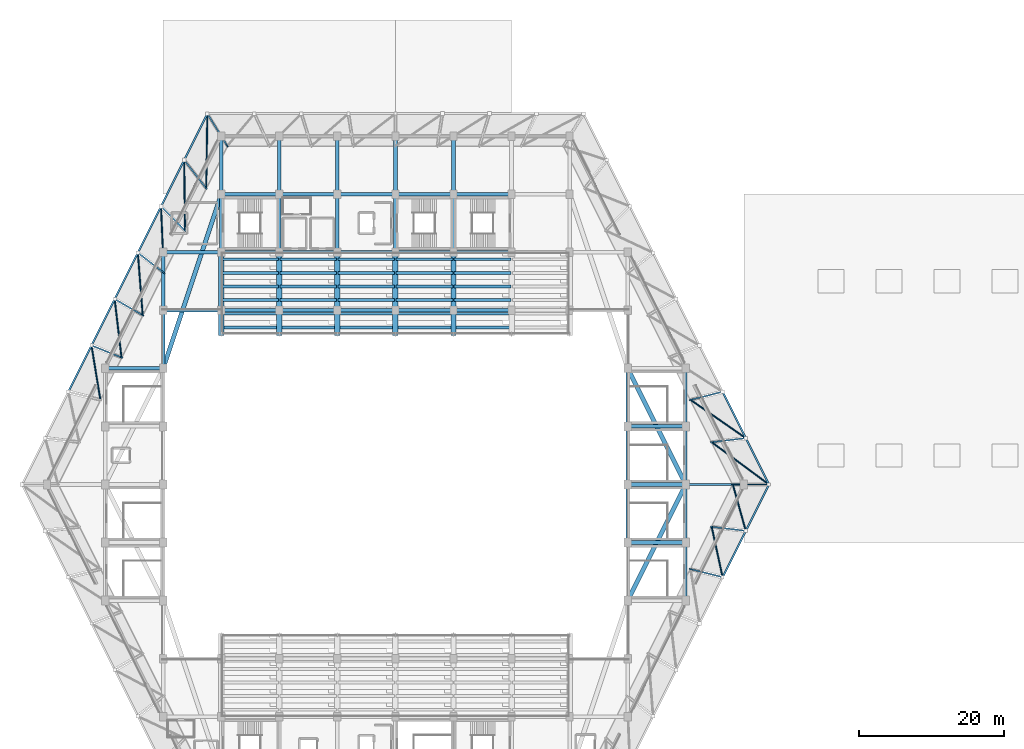
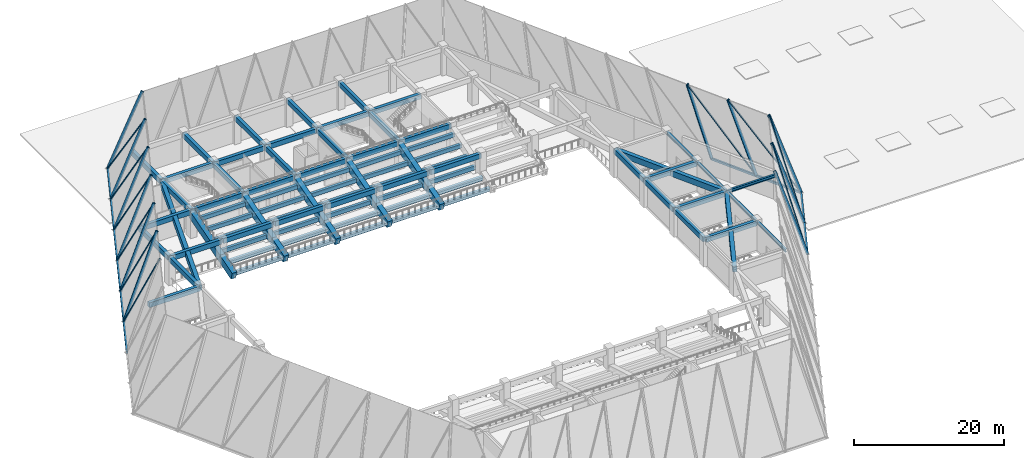
# One storey, part 3 of 24: 84 beams, 31 members.
"""IFC4 building model written with IfcOpenShell, lengths in metres."""

from ifc_helpers import new_model, si_unit, direction, frame, origin, origin_2d, place, context, subcontext, project, spatial, rectangle, hollow_rectangle, hollow_circle, i_section, extrude, material, material_profile, profile_set, type_object, element, save


model = new_model("IFC4")

# Units and contexts
model_context = context("Model", 3, precision=1e-05, world=origin(), true_north=direction((0.0, 1.0)))
body_context = subcontext(model_context, "Body", "Model", "MODEL_VIEW")
ifc_project = project(units=[si_unit("LENGTHUNIT", "METRE"), si_unit("AREAUNIT", "SQUARE_METRE"), si_unit("VOLUMEUNIT", "CUBIC_METRE"), si_unit("PLANEANGLEUNIT", "RADIAN"), si_unit("MASSUNIT", "GRAM", prefix="KILO")], contexts=[model_context])

# Site, building, storey
site_placement = place(None, origin())
site = spatial("IfcSite", under=ifc_project, at=site_placement, CompositionType="ELEMENT")
building_placement = place(site_placement, origin())
building = spatial("IfcBuilding", under=site, at=building_placement, Name="Tazarka Park Arena", CompositionType="ELEMENT")
storey_placement = place(building_placement, frame((0.0, 0.0, 15.0)))
storey = spatial("IfcBuildingStorey", under=building, at=storey_placement, Name="L03", CompositionType="ELEMENT", Elevation=15.0)

# Beams
ifc_material_1 = material(Name="Concrete C40/50", Category="concrete")
ifc_material_profile_1 = material_profile(ifc_material_1, rectangle(XDim=0.5, YDim=0.800048828125, at=origin_2d()), Name="Concrete C40/50")
ifc_profile_set_1 = profile_set([ifc_material_profile_1], Name="Concrete C40/50")
beam_type_1 = type_object("IfcBeamType", Name="BM-B-02", PredefinedType="BEAM", material=ifc_profile_set_1)
for number, where, z_axis, x_axis, name in (
    (1, (56.1201171875, 88.0, 4.02001953125), (1.0, 0.0, 0.0), (0.0, 1.0, 0.0), "GXM-L03-07-11"),
    (2, (64.1201171875, 96.0, 4.02001953125), (1.0, 0.0, 0.0), (0.0, 1.0, 0.0), "GXM-L03-08-12"),
    (3, (64.0, 96.1201171875, 4.02001953125), (0.0, 1.0, 0.0), (-1.0, 0.0, 0.0), "GYM-L03-08-12"),
    (4, (64.1201171875, 104.0, 4.02001953125), (1.0, 0.0, 0.0), (0.0, 1.0, 0.0), "GXM-L03-08-13"),
    (5, (72.1201171875, 96.0, 4.02001953125), (1.0, 0.0, 0.0), (0.0, 1.0, 0.0), "GXM-L03-09-12"),
    (6, (72.0, 96.1201171875, 4.02001953125), (0.0, 1.0, 0.0), (-1.0, 0.0, 0.0), "GYM-L03-09-12"),
    (7, (72.1201171875, 104.0, 4.02001953125), (1.0, 0.0, 0.0), (0.0, 1.0, 0.0), "GXM-L03-09-13"),
    (8, (72.0, 104.1201171875, 4.02001953125), (0.0, 1.0, 0.0), (-1.0, 0.0, 0.0), "GYM-L03-09-13"),
    (9, (80.1201171875, 96.0, 4.02001953125), (1.0, 0.0, 0.0), (0.0, 1.0, 0.0), "GXM-L03-10-12"),
    (10, (80.0, 96.1201171875, 4.02001953125), (0.0, 1.0, 0.0), (-1.0, 0.0, 0.0), "GYM-L03-10-12"),
    (11, (80.1201171875, 104.0, 4.02001953125), (1.0, 0.0, 0.0), (0.0, 1.0, 0.0), "GXM-L03-10-13"),
    (12, (80.0, 104.1201171875, 4.02001953125), (0.0, 1.0, 0.0), (-1.0, 0.0, 0.0), "GYM-L03-10-13"),
    (13, (88.1201171875, 96.0, 4.02001953125), (1.0, 0.0, 0.0), (0.0, 1.0, 0.0), "GXM-L03-11-12"),
    (14, (88.0, 96.1201171875, 4.02001953125), (0.0, 1.0, 0.0), (-1.0, 0.0, 0.0), "GYM-L03-11-12"),
    (15, (88.1201171875, 104.0, 4.02001953125), (1.0, 0.0, 0.0), (0.0, 1.0, 0.0), "GXM-L03-11-13"),
    (16, (88.0, 104.1201171875, 4.02001953125), (0.0, 1.0, 0.0), (-1.0, 0.0, 0.0), "GYM-L03-11-13"),
    (17, (96.1201171875, 96.0, 4.02001953125), (1.0, 0.0, 0.0), (0.0, 1.0, 0.0), "GXM-L03-12-12"),
    (18, (96.0, 96.1201171875, 4.02001953125), (0.0, 1.0, 0.0), (-1.0, 0.0, 0.0), "GYM-L03-12-12"),
    (19, (96.1201171875, 104.0, 4.02001953125), (1.0, 0.0, 0.0), (0.0, 1.0, 0.0), "GXM-L03-12-13"),
    (20, (96.0, 104.1201171875, 4.02001953125), (0.0, 1.0, 0.0), (-1.0, 0.0, 0.0), "GYM-L03-12-13"),
    (21, (120.1201171875, 56.0, 4.02001953125), (1.0, 0.0, 0.0), (0.0, 1.0, 0.0), "GXM-L03-15-07"),
    (22, (120.1201171875, 64.0, 4.02001953125), (1.0, 0.0, 0.0), (0.0, 1.0, 0.0), "GXM-L03-15-08"),
    (23, (120.1201171875, 72.0, 4.02001953125), (1.0, 0.0, 0.0), (0.0, 1.0, 0.0), "GXM-L03-15-09"),
):
    element("IfcBeam", number, at=place(storey_placement, frame(where, z_axis=z_axis, x_axis=x_axis)), inside=storey, type_object=beam_type_1, Name=name, PredefinedType="BEAM", context=body_context, shape_type="SweptSolid", body=[
        extrude(rectangle(XDim=0.5, YDim=0.800048828125, at=origin_2d()), origin(), (0.0, 0.0, 1.0), 7.759765625),
    ])
ifc_material_2 = material(Name="Steel S355", Category="steel")
ifc_material_profile_2 = material_profile(ifc_material_2, i_section(OverallWidth=0.300048828125, OverallDepth=0.489990234375, WebThickness=0.011962890625, FlangeThickness=0.02294921875, FilletRadius=0.027099609375, at=origin_2d()), Name="Steel S355")
ifc_profile_set_2 = profile_set([ifc_material_profile_2], Name="Steel S355")
beam_type_2 = type_object("IfcBeamType", Name="BM-B-06", PredefinedType="BEAM", material=ifc_profile_set_2)
for number, where, z_axis, x_axis, name in (
    (24, (128.1201171875, 64.0, 4.175048828125), (1.0, 0.0, 0.0), (0.0, 1.0, 0.0), "GXM-L03-16-08"),
    (25, (128.0, 64.1201171875, 4.175048828125), (0.0, 1.0, 0.0), (-1.0, 0.0, 0.0), "GYM-L03-16-08"),
):
    element("IfcBeam", number, at=place(storey_placement, frame(where, z_axis=z_axis, x_axis=x_axis)), inside=storey, type_object=beam_type_2, Name=name, PredefinedType="BEAM", context=body_context, shape_type="SweptSolid", body=[
        extrude(i_section(OverallWidth=0.300048828125, OverallDepth=0.489990234375, WebThickness=0.011962890625, FlangeThickness=0.02294921875, FilletRadius=0.027099609375, at=origin_2d()), origin(), (0.0, 0.0, 1.0), 7.759765625),
    ])
ifc_material_3 = material(Name="Precast concrete C40/50", Category="concrete")
ifc_material_profile_3 = material_profile(ifc_material_3, rectangle(XDim=0.75, YDim=1.199951171875, at=origin_2d()), Name="Precast concrete C40/50")
ifc_profile_set_3 = profile_set([ifc_material_profile_3], Name="Precast concrete C40/50")
beam_type_3 = type_object("IfcBeamType", Name="BM-RK-02", PredefinedType="BEAM", material=ifc_profile_set_3)
beam_1_placement = place(storey_placement, frame((64.0, 88.0, 1.300048828125), z_axis=(0.0, 0.959465685015, 0.281825476632), x_axis=(-1.0, 0.0, 0.0)))
element("IfcBeam", 26, at=beam_1_placement, inside=storey, type_object=beam_type_3, Name="RAKER RK-02-08B", PredefinedType="BEAM", context=body_context, shape_type="SweptSolid", body=[
    extrude(rectangle(XDim=0.75, YDim=1.199951171875, at=origin_2d()), origin(), (0.0, 0.0, 1.0), 8.337890625),
])
beam_2_placement = place(storey_placement, frame((64.0, 84.699951171875, 0.33056640625), z_axis=(0.0, 0.959453616174, 0.281866561354), x_axis=(-1.0, 0.0, 0.0)))
element("IfcBeam", 27, at=beam_2_placement, inside=storey, type_object=beam_type_3, Name="RAKER RK-02-08C", PredefinedType="BEAM", context=body_context, shape_type="SweptSolid", body=[
    extrude(rectangle(XDim=0.75, YDim=1.199951171875, at=origin_2d()), origin(), (0.0, 0.0, 1.0), 3.439453125),
])
beam_3_placement = place(storey_placement, frame((72.0, 88.0, 1.300048828125), z_axis=(0.0, 0.959465685015, 0.281825476632), x_axis=(-1.0, 0.0, 0.0)))
element("IfcBeam", 28, at=beam_3_placement, inside=storey, type_object=beam_type_3, Name="RAKER RK-02-09B", PredefinedType="BEAM", context=body_context, shape_type="SweptSolid", body=[
    extrude(rectangle(XDim=0.75, YDim=1.199951171875, at=origin_2d()), origin(), (0.0, 0.0, 1.0), 8.337890625),
])
beam_4_placement = place(storey_placement, frame((72.0, 84.699951171875, 0.33056640625), z_axis=(0.0, 0.959453616174, 0.281866561354), x_axis=(-1.0, 0.0, 0.0)))
element("IfcBeam", 29, at=beam_4_placement, inside=storey, type_object=beam_type_3, Name="RAKER RK-02-09C", PredefinedType="BEAM", context=body_context, shape_type="SweptSolid", body=[
    extrude(rectangle(XDim=0.75, YDim=1.199951171875, at=origin_2d()), origin(), (0.0, 0.0, 1.0), 3.439453125),
])
beam_5_placement = place(storey_placement, frame((80.0, 88.0, 1.300048828125), z_axis=(0.0, 0.959465685015, 0.281825476632), x_axis=(-1.0, 0.0, 0.0)))
element("IfcBeam", 30, at=beam_5_placement, inside=storey, type_object=beam_type_3, Name="RAKER RK-02-10B", PredefinedType="BEAM", context=body_context, shape_type="SweptSolid", body=[
    extrude(rectangle(XDim=0.75, YDim=1.199951171875, at=origin_2d()), origin(), (0.0, 0.0, 1.0), 8.337890625),
])
beam_6_placement = place(storey_placement, frame((80.0, 84.699951171875, 0.33056640625), z_axis=(0.0, 0.959453616174, 0.281866561354), x_axis=(-1.0, 0.0, 0.0)))
element("IfcBeam", 31, at=beam_6_placement, inside=storey, type_object=beam_type_3, Name="RAKER RK-02-10C", PredefinedType="BEAM", context=body_context, shape_type="SweptSolid", body=[
    extrude(rectangle(XDim=0.75, YDim=1.199951171875, at=origin_2d()), origin(), (0.0, 0.0, 1.0), 3.439453125),
])
beam_7_placement = place(storey_placement, frame((88.0, 88.0, 1.300048828125), z_axis=(0.0, 0.959465685015, 0.281825476632), x_axis=(-1.0, 0.0, 0.0)))
element("IfcBeam", 32, at=beam_7_placement, inside=storey, type_object=beam_type_3, Name="RAKER RK-02-11B", PredefinedType="BEAM", context=body_context, shape_type="SweptSolid", body=[
    extrude(rectangle(XDim=0.75, YDim=1.199951171875, at=origin_2d()), origin(), (0.0, 0.0, 1.0), 8.337890625),
])
beam_8_placement = place(storey_placement, frame((88.0, 84.699951171875, 0.33056640625), z_axis=(0.0, 0.959453616174, 0.281866561354), x_axis=(-1.0, 0.0, 0.0)))
element("IfcBeam", 33, at=beam_8_placement, inside=storey, type_object=beam_type_3, Name="RAKER RK-02-11C", PredefinedType="BEAM", context=body_context, shape_type="SweptSolid", body=[
    extrude(rectangle(XDim=0.75, YDim=1.199951171875, at=origin_2d()), origin(), (0.0, 0.0, 1.0), 3.439453125),
])
beam_9_placement = place(storey_placement, frame((96.0, 88.0, 1.300048828125), z_axis=(0.0, 0.959465685015, 0.281825476632), x_axis=(-1.0, 0.0, 0.0)))
element("IfcBeam", 34, at=beam_9_placement, inside=storey, type_object=beam_type_3, Name="RAKER RK-02-12B", PredefinedType="BEAM", context=body_context, shape_type="SweptSolid", body=[
    extrude(rectangle(XDim=0.75, YDim=1.199951171875, at=origin_2d()), origin(), (0.0, 0.0, 1.0), 8.337890625),
])
beam_10_placement = place(storey_placement, frame((96.0, 84.699951171875, 0.33056640625), z_axis=(0.0, 0.959453616174, 0.281866561354), x_axis=(-1.0, 0.0, 0.0)))
element("IfcBeam", 35, at=beam_10_placement, inside=storey, type_object=beam_type_3, Name="RAKER RK-02-12C", PredefinedType="BEAM", context=body_context, shape_type="SweptSolid", body=[
    extrude(rectangle(XDim=0.75, YDim=1.199951171875, at=origin_2d()), origin(), (0.0, 0.0, 1.0), 3.439453125),
])
ifc_material_4 = material(Name="Concrete C40/50", Category="concrete")
ifc_material_profile_4 = material_profile(ifc_material_4, rectangle(XDim=0.5, YDim=0.800048828125, at=origin_2d()), Name="Concrete C40/50")
ifc_profile_set_4 = profile_set([ifc_material_profile_4], Name="Concrete C40/50")
beam_type_4 = type_object("IfcBeamType", Name="BM-SP-01", PredefinedType="SPANDREL", material=ifc_profile_set_4)
for number, where, z_axis, x_axis, name in (
    (36, (48.1201171875, 80.0, 4.02001953125), (1.0, 0.0, 0.0), (0.0, 1.0, 0.0), "GXM-L03-06-10"),
    (37, (56.0, 80.1201171875, 4.02001953125), (0.0, 1.0, 0.0), (-1.0, 0.0, 0.0), "GYM-L03-07-10"),
    (38, (56.0, 88.1201171875, 4.02001953125), (0.0, 1.0, 0.0), (-1.0, 0.0, 0.0), "GYM-L03-07-11"),
    (39, (56.1201171875, 96.0, 4.02001953125), (1.0, 0.0, 0.0), (0.0, 1.0, 0.0), "GXM-L03-07-12"),
    (40, (64.1201171875, 88.0, 4.02001953125), (1.0, 0.0, 0.0), (0.0, 1.0, 0.0), "GXM-L03-08-11"),
    (41, (64.0, 104.1201171875, 4.02001953125), (0.0, 1.0, 0.0), (-1.0, 0.0, 0.0), "GYM-L03-08-13"),
    (42, (72.1201171875, 88.0, 4.02001953125), (1.0, 0.0, 0.0), (0.0, 1.0, 0.0), "GXM-L03-09-11"),
    (43, (80.1201171875, 88.0, 4.02001953125), (1.0, 0.0, 0.0), (0.0, 1.0, 0.0), "GXM-L03-10-11"),
    (44, (88.1201171875, 88.0, 4.02001953125), (1.0, 0.0, 0.0), (0.0, 1.0, 0.0), "GXM-L03-11-11"),
    (45, (96.1201171875, 88.0, 4.02001953125), (1.0, 0.0, 0.0), (0.0, 1.0, 0.0), "GXM-L03-12-11"),
    (46, (120.0, 56.1201171875, 4.02001953125), (0.0, 1.0, 0.0), (-1.0, 0.0, 0.0), "GYM-L03-15-07"),
    (47, (120.0, 64.1201171875, 4.02001953125), (0.0, 1.0, 0.0), (-1.0, 0.0, 0.0), "GYM-L03-15-08"),
    (48, (120.0, 72.1201171875, 4.02001953125), (0.0, 1.0, 0.0), (-1.0, 0.0, 0.0), "GYM-L03-15-09"),
):
    element("IfcBeam", number, at=place(storey_placement, frame(where, z_axis=z_axis, x_axis=x_axis)), inside=storey, type_object=beam_type_4, Name=name, PredefinedType="SPANDREL", context=body_context, shape_type="SweptSolid", body=[
        extrude(rectangle(XDim=0.5, YDim=0.800048828125, at=origin_2d()), origin(), (0.0, 0.0, 1.0), 7.759765625),
    ])
ifc_material_5 = material(Name="Steel S355", Category="steel")
ifc_material_profile_5 = material_profile(ifc_material_5, i_section(OverallWidth=0.300048828125, OverallDepth=0.489990234375, WebThickness=0.011962890625, FlangeThickness=0.02294921875, FilletRadius=0.027099609375, at=origin_2d()), Name="Steel S355")
ifc_profile_set_5 = profile_set([ifc_material_profile_5], Name="Steel S355")
beam_type_5 = type_object("IfcBeamType", Name="BM-SP-02", PredefinedType="SPANDREL", material=ifc_profile_set_5)
for number, where, z_axis, x_axis, name in (
    (49, (128.0, 48.1201171875, 4.175048828125), (0.0, 1.0, 0.0), (-1.0, 0.0, 0.0), "GYM-L03-16-06"),
    (50, (128.0, 56.1201171875, 4.175048828125), (0.0, 1.0, 0.0), (-1.0, 0.0, 0.0), "GYM-L03-16-07"),
    (51, (128.0, 72.1201171875, 4.175048828125), (0.0, 1.0, 0.0), (-1.0, 0.0, 0.0), "GYM-L03-16-09"),
):
    element("IfcBeam", number, at=place(storey_placement, frame(where, z_axis=z_axis, x_axis=x_axis)), inside=storey, type_object=beam_type_5, Name=name, PredefinedType="SPANDREL", context=body_context, shape_type="SweptSolid", body=[
        extrude(i_section(OverallWidth=0.300048828125, OverallDepth=0.489990234375, WebThickness=0.011962890625, FlangeThickness=0.02294921875, FilletRadius=0.027099609375, at=origin_2d()), origin(), (0.0, 0.0, 1.0), 7.759765625),
    ])
ifc_material_6 = material(Name="Concrete C40/50", Category="concrete")
ifc_material_profile_6 = material_profile(ifc_material_6, rectangle(XDim=0.60009765625, YDim=0.949951171875, at=origin_2d()), Name="Concrete C40/50")
ifc_profile_set_6 = profile_set([ifc_material_profile_6], Name="Concrete C40/50")
beam_type_6 = type_object("IfcBeamType", Name="BM-SP-03", PredefinedType="SPANDREL", material=ifc_profile_set_6)
for number, where, z_axis, x_axis, name in (
    (52, (120.0537109375, 48.107421875, 3.945068359375), (0.4472135955, 0.894427191, 0.0), (-0.894427191, 0.4472135955, 0.0), "RING BEAM SP-03-L03-08"),
    (53, (127.9462890625, 64.107421875, 3.945068359375), (-0.4472135955, 0.894427191, 0.0), (-0.894427191, -0.4472135955, 0.0), "RING BEAM SP-03-L03-09"),
):
    element("IfcBeam", number, at=place(storey_placement, frame(where, z_axis=z_axis, x_axis=x_axis)), inside=storey, type_object=beam_type_6, Name=name, PredefinedType="SPANDREL", context=body_context, shape_type="SweptSolid", body=[
        extrude(rectangle(XDim=0.60009765625, YDim=0.949951171875, at=origin_2d()), origin(), (0.0, 0.0, 1.0), 17.6484375),
    ])
beam_11_placement = place(storey_placement, frame((63.962158203125, 103.88623046875, 3.945068359375), z_axis=(-0.316233611724, -0.948681349461, 0.0), x_axis=(0.948681349461, -0.316233611724, 0.0)))
element("IfcBeam", 54, at=beam_11_placement, inside=storey, type_object=beam_type_6, Name="RING BEAM SP-03-L03-17", PredefinedType="SPANDREL", context=body_context, shape_type="SweptSolid", body=[
    extrude(rectangle(XDim=0.60009765625, YDim=0.949951171875, at=origin_2d()), origin(), (0.0, 0.0, 1.0), 25.058349609375),
])
ifc_material_7 = material(Name="Precast concrete C40/50", Category="concrete")
ifc_material_profile_7 = material_profile(ifc_material_7, rectangle(XDim=0.39990234375, YDim=0.64990234375, at=origin_2d()), Name="Precast concrete C40/50")
ifc_profile_set_7 = profile_set([ifc_material_profile_7], Name="Precast concrete C40/50")
beam_type_7 = type_object("IfcBeamType", Name="BM-TB-01", PredefinedType="BEAM", material=ifc_profile_set_7)
for number, where, z_axis, x_axis, name in (
    (55, (64.10009765625, 85.639892578125, -0.02490234375), (1.0, 0.0, 0.0), (0.0, 1.0, 0.0), "UTB-N-08-1"),
    (56, (72.10009765625, 85.639892578125, -0.02490234375), (1.0, 0.0, 0.0), (0.0, 1.0, 0.0), "UTB-N-09-1"),
    (57, (80.10009765625, 85.639892578125, -0.02490234375), (1.0, 0.0, 0.0), (0.0, 1.0, 0.0), "UTB-N-10-1"),
    (58, (88.10009765625, 85.639892578125, -0.02490234375), (1.0, 0.0, 0.0), (0.0, 1.0, 0.0), "UTB-N-11-1"),
    (59, (96.10009765625, 85.639892578125, -0.02490234375), (1.0, 0.0, 0.0), (0.0, 1.0, 0.0), "UTB-N-12-1"),
    (60, (64.10009765625, 87.52001953125, 0.60498046875), (1.0, 0.0, 0.0), (0.0, 1.0, 0.0), "UTB-N-08-2"),
    (61, (72.10009765625, 87.52001953125, 0.60498046875), (1.0, 0.0, 0.0), (0.0, 1.0, 0.0), "UTB-N-09-2"),
    (62, (80.10009765625, 87.52001953125, 0.60498046875), (1.0, 0.0, 0.0), (0.0, 1.0, 0.0), "UTB-N-10-2"),
    (63, (88.10009765625, 87.52001953125, 0.60498046875), (1.0, 0.0, 0.0), (0.0, 1.0, 0.0), "UTB-N-11-2"),
    (64, (96.10009765625, 87.52001953125, 0.60498046875), (1.0, 0.0, 0.0), (0.0, 1.0, 0.0), "UTB-N-12-2"),
    (65, (64.10009765625, 89.39990234375, 1.235107421875), (1.0, 0.0, 0.0), (0.0, 1.0, 0.0), "UTB-N-08-3"),
    (66, (72.10009765625, 89.39990234375, 1.235107421875), (1.0, 0.0, 0.0), (0.0, 1.0, 0.0), "UTB-N-09-3"),
    (67, (80.10009765625, 89.39990234375, 1.235107421875), (1.0, 0.0, 0.0), (0.0, 1.0, 0.0), "UTB-N-10-3"),
    (68, (88.10009765625, 89.39990234375, 1.235107421875), (1.0, 0.0, 0.0), (0.0, 1.0, 0.0), "UTB-N-11-3"),
    (69, (96.10009765625, 89.39990234375, 1.235107421875), (1.0, 0.0, 0.0), (0.0, 1.0, 0.0), "UTB-N-12-3"),
    (70, (64.10009765625, 91.280029296875, 1.864990234375), (1.0, 0.0, 0.0), (0.0, 1.0, 0.0), "UTB-N-08-4"),
    (71, (72.10009765625, 91.280029296875, 1.864990234375), (1.0, 0.0, 0.0), (0.0, 1.0, 0.0), "UTB-N-09-4"),
    (72, (80.10009765625, 91.280029296875, 1.864990234375), (1.0, 0.0, 0.0), (0.0, 1.0, 0.0), "UTB-N-10-4"),
    (73, (88.10009765625, 91.280029296875, 1.864990234375), (1.0, 0.0, 0.0), (0.0, 1.0, 0.0), "UTB-N-11-4"),
    (74, (96.10009765625, 91.280029296875, 1.864990234375), (1.0, 0.0, 0.0), (0.0, 1.0, 0.0), "UTB-N-12-4"),
    (75, (64.10009765625, 93.159912109375, 2.4951171875), (1.0, 0.0, 0.0), (0.0, 1.0, 0.0), "UTB-N-08-5"),
    (76, (72.10009765625, 93.159912109375, 2.4951171875), (1.0, 0.0, 0.0), (0.0, 1.0, 0.0), "UTB-N-09-5"),
    (77, (80.10009765625, 93.159912109375, 2.4951171875), (1.0, 0.0, 0.0), (0.0, 1.0, 0.0), "UTB-N-10-5"),
    (78, (88.10009765625, 93.159912109375, 2.4951171875), (1.0, 0.0, 0.0), (0.0, 1.0, 0.0), "UTB-N-11-5"),
    (79, (96.10009765625, 93.159912109375, 2.4951171875), (1.0, 0.0, 0.0), (0.0, 1.0, 0.0), "UTB-N-12-5"),
    (80, (64.10009765625, 95.0400390625, 3.135009765625), (1.0, 0.0, 0.0), (0.0, 1.0, 0.0), "UTB-N-08-6"),
    (81, (72.10009765625, 95.0400390625, 3.135009765625), (1.0, 0.0, 0.0), (0.0, 1.0, 0.0), "UTB-N-09-6"),
    (82, (80.10009765625, 95.0400390625, 3.135009765625), (1.0, 0.0, 0.0), (0.0, 1.0, 0.0), "UTB-N-10-6"),
    (83, (88.10009765625, 95.0400390625, 3.135009765625), (1.0, 0.0, 0.0), (0.0, 1.0, 0.0), "UTB-N-11-6"),
    (84, (96.10009765625, 95.0400390625, 3.135009765625), (1.0, 0.0, 0.0), (0.0, 1.0, 0.0), "UTB-N-12-6"),
):
    element("IfcBeam", number, at=place(storey_placement, frame(where, z_axis=z_axis, x_axis=x_axis)), inside=storey, type_object=beam_type_7, Name=name, PredefinedType="BEAM", context=body_context, shape_type="SweptSolid", body=[
        extrude(rectangle(XDim=0.39990234375, YDim=0.64990234375, at=origin_2d()), origin(), (0.0, 0.0, 1.0), 7.7998046875),
    ])

# Members
ifc_material_8 = material(Name="Steel S355", Category="steel")
ifc_material_profile_8 = material_profile(ifc_material_8, hollow_circle(Radius=0.122314453125, WallThickness=0.012451171875, at=origin_2d()), Name="Steel S355")
ifc_profile_set_8 = profile_set([ifc_material_profile_8], Name="Steel S355")
member_type_1 = type_object("IfcMemberType", Name="MEM-BR-05", PredefinedType="BRACE", material=ifc_profile_set_8)
member_1_placement = place(storey_placement, frame((133.078369140625, 51.22509765625, 0.0), z_axis=(-0.093824066401, 0.432924090945, 0.896534313924), x_axis=(-0.977311997828, -0.211804766001, 0.0)))
element("IfcMember", 85, at=member_1_placement, inside=storey, type_object=member_type_1, Name="FSD-14", PredefinedType="BRACE", context=body_context, shape_type="SweptSolid", body=[
    extrude(hollow_circle(Radius=0.122314453125, WallThickness=0.012451171875, at=origin_2d()), origin(), (0.0, 0.0, 1.0), 16.039306640625),
])
member_2_placement = place(storey_placement, frame((136.272216796875, 57.612548828125, 0.0), z_axis=(-0.112608548555, 0.403364930975, 0.908083722601), x_axis=(-0.963170584231, -0.268891103743, 0.0)))
element("IfcMember", 86, at=member_2_placement, inside=storey, type_object=member_type_1, Name="FSD-15", PredefinedType="BRACE", context=body_context, shape_type="SweptSolid", body=[
    extrude(hollow_circle(Radius=0.122314453125, WallThickness=0.012451171875, at=origin_2d()), origin(), (0.0, 0.0, 1.0), 15.83544921875),
])
member_3_placement = place(storey_placement, frame((139.4658203125, 64.0, 0.0), z_axis=(-0.453349505798, 0.334946007872, 0.826005688481), x_axis=(-0.594232249844, -0.804293499443, 0.0)))
element("IfcMember", 87, at=member_3_placement, inside=storey, type_object=member_type_1, Name="FSD-16", PredefinedType="BRACE", context=body_context, shape_type="SweptSolid", body=[
    extrude(hollow_circle(Radius=0.122314453125, WallThickness=0.012451171875, at=origin_2d()), origin(), (0.0, 0.0, 1.0), 17.408935546875),
])
member_4_placement = place(storey_placement, frame((136.272216796875, 70.387451171875, 0.0), z_axis=(-0.44514887628, 0.308369933052, 0.8406845201), x_axis=(-0.569447064431, -0.822028004882, 0.0)))
element("IfcMember", 88, at=member_4_placement, inside=storey, type_object=member_type_1, Name="FSD-17", PredefinedType="BRACE", context=body_context, shape_type="SweptSolid", body=[
    extrude(hollow_circle(Radius=0.122314453125, WallThickness=0.012451171875, at=origin_2d()), origin(), (0.0, 0.0, 1.0), 17.10498046875),
])
member_5_placement = place(storey_placement, frame((62.083984375, 115.10009765625, 0.0), z_axis=(-0.009293958918, -0.581638873276, 0.813394027161), x_axis=(0.999872361557, -0.015976876854, 0.0)))
element("IfcMember", 89, at=member_5_placement, inside=storey, type_object=member_type_1, Name="FSD-32", PredefinedType="BRACE", context=body_context, shape_type="SweptSolid", body=[
    extrude(hollow_circle(Radius=0.122314453125, WallThickness=0.012451171875, at=origin_2d()), origin(), (0.0, 0.0, 1.0), 17.678955078125),
])
member_6_placement = place(storey_placement, frame((58.890380859375, 108.71240234375, 0.0), z_axis=(0.006553368902, -0.560228662992, 0.828312077974), x_axis=(0.999931589302, 0.011696867751, 0.0)))
element("IfcMember", 90, at=member_6_placement, inside=storey, type_object=member_type_1, Name="FSD-33", PredefinedType="BRACE", context=body_context, shape_type="SweptSolid", body=[
    extrude(hollow_circle(Radius=0.122314453125, WallThickness=0.012451171875, at=origin_2d()), origin(), (0.0, 0.0, 1.0), 17.3603515625),
])
member_7_placement = place(storey_placement, frame((55.696533203125, 102.324951171875, 0.0), z_axis=(0.02298418939, -0.537509455233, 0.8429444303), x_axis=(0.999087020342, 0.042721490885, 0.0)))
element("IfcMember", 91, at=member_7_placement, inside=storey, type_object=member_type_1, Name="FSD-34", PredefinedType="BRACE", context=body_context, shape_type="SweptSolid", body=[
    extrude(hollow_circle(Radius=0.122314453125, WallThickness=0.012451171875, at=origin_2d()), origin(), (0.0, 0.0, 1.0), 17.05908203125),
])
member_8_placement = place(storey_placement, frame((52.5029296875, 95.9375, 0.0), z_axis=(0.039948996414, -0.513442839154, 0.857193402102), x_axis=(0.99698677784, 0.077571675317, 0.0)))
element("IfcMember", 92, at=member_8_placement, inside=storey, type_object=member_type_1, Name="FSD-35", PredefinedType="BRACE", context=body_context, shape_type="SweptSolid", body=[
    extrude(hollow_circle(Radius=0.122314453125, WallThickness=0.012451171875, at=origin_2d()), origin(), (0.0, 0.0, 1.0), 16.775634765625),
])
member_9_placement = place(storey_placement, frame((49.30908203125, 89.550048828125, 0.0), z_axis=(0.057447732384, -0.487987803447, 0.870957898943), x_axis=(0.993141768348, 0.1169163289, 0.0)))
element("IfcMember", 93, at=member_9_placement, inside=storey, type_object=member_type_1, Name="FSD-36", PredefinedType="BRACE", context=body_context, shape_type="SweptSolid", body=[
    extrude(hollow_circle(Radius=0.122314453125, WallThickness=0.012451171875, at=origin_2d()), origin(), (0.0, 0.0, 1.0), 16.510498046875),
])
member_10_placement = place(storey_placement, frame((46.115234375, 83.16259765625, 0.0), z_axis=(0.075427140834, -0.461148780239, 0.884111163208), x_axis=(0.986886029316, 0.161418602217, 0.0)))
element("IfcMember", 94, at=member_10_placement, inside=storey, type_object=member_type_1, Name="FSD-37", PredefinedType="BRACE", context=body_context, shape_type="SweptSolid", body=[
    extrude(hollow_circle(Radius=0.122314453125, WallThickness=0.012451171875, at=origin_2d()), origin(), (0.0, 0.0, 1.0), 16.264892578125),
])
ifc_material_9 = material(Name="Steel S460", Category="steel")
ifc_material_profile_9 = material_profile(ifc_material_9, hollow_rectangle(XDim=0.199951171875, YDim=0.39990234375, WallThickness=0.01611328125, at=origin_2d()), Name="Steel S460")
ifc_profile_set_9 = profile_set([ifc_material_profile_9], Name="Steel S460")
member_type_2 = type_object("IfcMemberType", Name="MEM-SR-03", PredefinedType="STRUT", material=ifc_profile_set_9)
member_11_placement = place(storey_placement, frame((133.078369140625, 51.22509765625, 0.0), z_axis=(-0.2930321102, 0.073767831564, 0.95325258427), x_axis=(-0.244123175142, -0.969744231928, 0.0)))
element("IfcMember", 95, at=member_11_placement, inside=storey, type_object=member_type_2, Name="FSU-14", PredefinedType="STRUT", context=body_context, shape_type="SweptSolid", body=[
    extrude(hollow_rectangle(XDim=0.199951171875, YDim=0.39990234375, WallThickness=0.01611328125, at=origin_2d()), origin(), (0.0, 0.0, 1.0), 15.0849609375),
])
member_12_placement = place(storey_placement, frame((136.272216796875, 57.612548828125, 0.0), z_axis=(-0.310386559395, 0.036754181069, 0.949899633604), x_axis=(-0.117592648169, -0.993061916044, 0.0)))
element("IfcMember", 96, at=member_12_placement, inside=storey, type_object=member_type_2, Name="FSU-15", PredefinedType="STRUT", context=body_context, shape_type="SweptSolid", body=[
    extrude(hollow_rectangle(XDim=0.199951171875, YDim=0.39990234375, WallThickness=0.01611328125, at=origin_2d()), origin(), (0.0, 0.0, 1.0), 15.138427734375),
])
member_13_placement = place(storey_placement, frame((139.4658203125, 64.0, 0.0), z_axis=(-0.327060968423, 0.0, 0.945003239642), x_axis=(0.0, -1.0, 0.0)))
element("IfcMember", 97, at=member_13_placement, inside=storey, type_object=member_type_2, Name="FSU-16", PredefinedType="STRUT", context=body_context, shape_type="SweptSolid", body=[
    extrude(hollow_rectangle(XDim=0.199951171875, YDim=0.39990234375, WallThickness=0.01611328125, at=origin_2d()), origin(), (0.0, 0.0, 1.0), 15.216796875),
])
member_14_placement = place(storey_placement, frame((136.272216796875, 70.387451171875, 0.0), z_axis=(-0.310386559395, -0.036754181069, 0.949899633604), x_axis=(0.117592648169, -0.993061916044, 0.0)))
element("IfcMember", 98, at=member_14_placement, inside=storey, type_object=member_type_2, Name="FSU-17", PredefinedType="STRUT", context=body_context, shape_type="SweptSolid", body=[
    extrude(hollow_rectangle(XDim=0.199951171875, YDim=0.39990234375, WallThickness=0.01611328125, at=origin_2d()), origin(), (0.0, 0.0, 1.0), 15.138427734375),
])
member_15_placement = place(storey_placement, frame((133.078369140625, 76.77490234375, 0.0), z_axis=(-0.2930321102, -0.073767831564, 0.95325258427), x_axis=(0.244123175142, -0.969744231928, 0.0)))
element("IfcMember", 99, at=member_15_placement, inside=storey, type_object=member_type_2, Name="FSU-18", PredefinedType="STRUT", context=body_context, shape_type="SweptSolid", body=[
    extrude(hollow_rectangle(XDim=0.199951171875, YDim=0.39990234375, WallThickness=0.01611328125, at=origin_2d()), origin(), (0.0, 0.0, 1.0), 15.0849609375),
])
member_16_placement = place(storey_placement, frame((62.083984375, 115.10009765625, 0.0), z_axis=(0.179789413355, -0.29089540986, 0.939710395477), x_axis=(0.85064274872, 0.525744152653, 0.0)))
element("IfcMember", 100, at=member_16_placement, inside=storey, type_object=member_type_2, Name="FSU-32", PredefinedType="STRUT", context=body_context, shape_type="SweptSolid", body=[
    extrude(hollow_rectangle(XDim=0.199951171875, YDim=0.39990234375, WallThickness=0.01611328125, at=origin_2d()), origin(), (0.0, 0.0, 1.0), 15.302490234375),
])
member_17_placement = place(storey_placement, frame((58.890380859375, 108.71240234375, 0.0), z_axis=(0.19925753849, -0.256202028454, 0.945863073585), x_axis=(0.789368202232, 0.613920061006, 0.0)))
element("IfcMember", 101, at=member_17_placement, inside=storey, type_object=member_type_2, Name="FSU-33", PredefinedType="STRUT", context=body_context, shape_type="SweptSolid", body=[
    extrude(hollow_rectangle(XDim=0.199951171875, YDim=0.39990234375, WallThickness=0.01611328125, at=origin_2d()), origin(), (0.0, 0.0, 1.0), 15.202880859375),
])
member_18_placement = place(storey_placement, frame((55.696533203125, 102.324951171875, 0.0), z_axis=(0.218637409171, -0.220670795173, 0.950527266031), x_axis=(0.710372092675, 0.703826320869, 0.0)))
element("IfcMember", 102, at=member_18_placement, inside=storey, type_object=member_type_2, Name="FSU-34", PredefinedType="STRUT", context=body_context, shape_type="SweptSolid", body=[
    extrude(hollow_rectangle(XDim=0.199951171875, YDim=0.39990234375, WallThickness=0.01611328125, at=origin_2d()), origin(), (0.0, 0.0, 1.0), 15.12841796875),
])
member_19_placement = place(storey_placement, frame((52.5029296875, 95.9375, 0.0), z_axis=(0.237793104832, -0.184493254549, 0.953633408769), x_axis=(0.612994207984, 0.790087400848, 0.0)))
element("IfcMember", 103, at=member_19_placement, inside=storey, type_object=member_type_2, Name="FSU-35", PredefinedType="STRUT", context=body_context, shape_type="SweptSolid", body=[
    extrude(hollow_rectangle(XDim=0.199951171875, YDim=0.39990234375, WallThickness=0.01611328125, at=origin_2d()), origin(), (0.0, 0.0, 1.0), 15.0791015625),
])
member_20_placement = place(storey_placement, frame((49.30908203125, 89.550048828125, 0.0), z_axis=(0.256652507162, -0.14784235217, 0.955129378394), x_axis=(0.499148844122, 0.866516261481, 0.0)))
element("IfcMember", 104, at=member_20_placement, inside=storey, type_object=member_type_2, Name="FSU-36", PredefinedType="STRUT", context=body_context, shape_type="SweptSolid", body=[
    extrude(hollow_rectangle(XDim=0.199951171875, YDim=0.39990234375, WallThickness=0.01611328125, at=origin_2d()), origin(), (0.0, 0.0, 1.0), 15.055419921875),
])
member_21_placement = place(storey_placement, frame((46.115234375, 83.16259765625, 0.0), z_axis=(0.275101856195, -0.110870896013, 0.955000844573), x_axis=(0.373802241501, 0.927508428128, 0.0)))
element("IfcMember", 105, at=member_21_placement, inside=storey, type_object=member_type_2, Name="FSU-37", PredefinedType="STRUT", context=body_context, shape_type="SweptSolid", body=[
    extrude(hollow_rectangle(XDim=0.199951171875, YDim=0.39990234375, WallThickness=0.01611328125, at=origin_2d()), origin(), (0.0, 0.0, 1.0), 15.057373046875),
])
ifc_material_10 = material(Name="Steel S460", Category="steel")
ifc_material_profile_10 = material_profile(ifc_material_10, hollow_rectangle(XDim=0.25, YDim=0.35009765625, WallThickness=0.012451171875, at=origin_2d()), Name="Steel S460")
ifc_profile_set_10 = profile_set([ifc_material_profile_10], Name="Steel S460")
member_type_3 = type_object("IfcMemberType", Name="MEM-SR-04", PredefinedType="STRUT", material=ifc_profile_set_10)
for number, where, z_axis, x_axis, name in (
    (106, (133.078369140625, 51.22509765625, 0.0), (0.447227270032, 0.894420353603, 0.0), (-0.894420353603, 0.447227270032, 0.0), "GMW-14"),
    (107, (136.272216796875, 57.612548828125, 0.0), (0.447199920655, 0.894434028292, 0.0), (-0.894434028292, 0.447199920655, 0.0), "GMW-15"),
    (108, (139.4658203125, 64.0, 0.0), (-0.447199920655, 0.894434028292, 0.0), (-0.894434028292, -0.447199920655, 0.0), "GMW-16"),
    (109, (136.272216796875, 70.387451171875, 0.0), (-0.447227270032, 0.894420353603, 0.0), (-0.894420353603, -0.447227270032, 0.0), "GMW-17"),
):
    element("IfcMember", number, at=place(storey_placement, frame(where, z_axis=z_axis, x_axis=x_axis)), inside=storey, type_object=member_type_3, Name=name, PredefinedType="STRUT", context=body_context, shape_type="SweptSolid", body=[
        extrude(hollow_rectangle(XDim=0.25, YDim=0.35009765625, WallThickness=0.012451171875, at=origin_2d()), origin(), (0.0, 0.0, 1.0), 7.141357421875),
    ])
member_22_placement = place(storey_placement, frame((62.083984375, 115.10009765625, 0.0), z_axis=(-0.447186246541, -0.894440864957, 0.0), x_axis=(0.894440864957, -0.447186246541, 0.0)))
element("IfcMember", 110, at=member_22_placement, inside=storey, type_object=member_type_3, Name="GMW-32", PredefinedType="STRUT", context=body_context, shape_type="SweptSolid", body=[
    extrude(hollow_rectangle(XDim=0.25, YDim=0.35009765625, WallThickness=0.012451171875, at=origin_2d()), origin(), (0.0, 0.0, 1.0), 7.1416015625),
])
for number, where, z_axis, x_axis, name in (
    (111, (58.890380859375, 108.71240234375, 0.0), (-0.447227270032, -0.894420353603, 0.0), (0.894420353603, -0.447227270032, 0.0), "GMW-33"),
    (112, (55.696533203125, 102.324951171875, 0.0), (-0.447199920655, -0.894434028292, 0.0), (0.894434028292, -0.447199920655, 0.0), "GMW-34"),
    (113, (52.5029296875, 95.9375, 0.0), (-0.447227270032, -0.894420353603, 0.0), (0.894420353603, -0.447227270032, 0.0), "GMW-35"),
    (114, (49.30908203125, 89.550048828125, 0.0), (-0.447227270032, -0.894420353603, 0.0), (0.894420353603, -0.447227270032, 0.0), "GMW-36"),
):
    element("IfcMember", number, at=place(storey_placement, frame(where, z_axis=z_axis, x_axis=x_axis)), inside=storey, type_object=member_type_3, Name=name, PredefinedType="STRUT", context=body_context, shape_type="SweptSolid", body=[
        extrude(hollow_rectangle(XDim=0.25, YDim=0.35009765625, WallThickness=0.012451171875, at=origin_2d()), origin(), (0.0, 0.0, 1.0), 7.141357421875),
    ])
member_23_placement = place(storey_placement, frame((46.115234375, 83.16259765625, 0.0), z_axis=(-0.447186246541, -0.894440864957, 0.0), x_axis=(0.894440864957, -0.447186246541, 0.0)))
element("IfcMember", 115, at=member_23_placement, inside=storey, type_object=member_type_3, Name="GMW-37", PredefinedType="STRUT", context=body_context, shape_type="SweptSolid", body=[
    extrude(hollow_rectangle(XDim=0.25, YDim=0.35009765625, WallThickness=0.012451171875, at=origin_2d()), origin(), (0.0, 0.0, 1.0), 7.1416015625),
])

save(model, "model.ifc")
